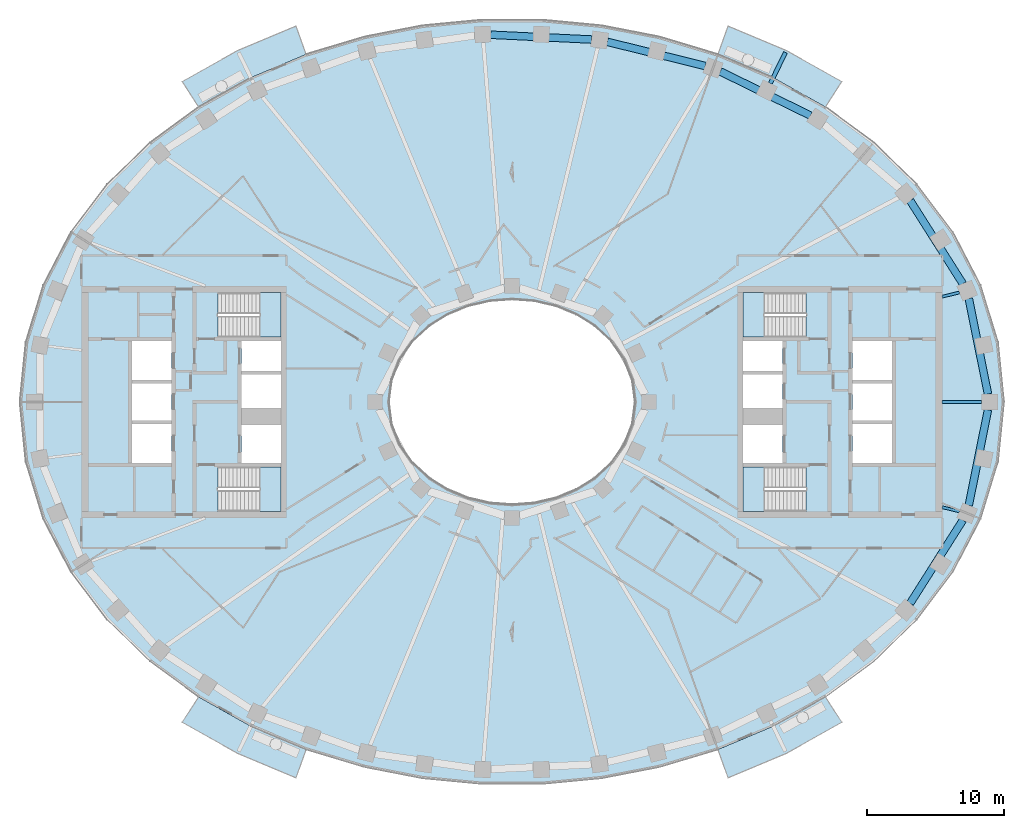
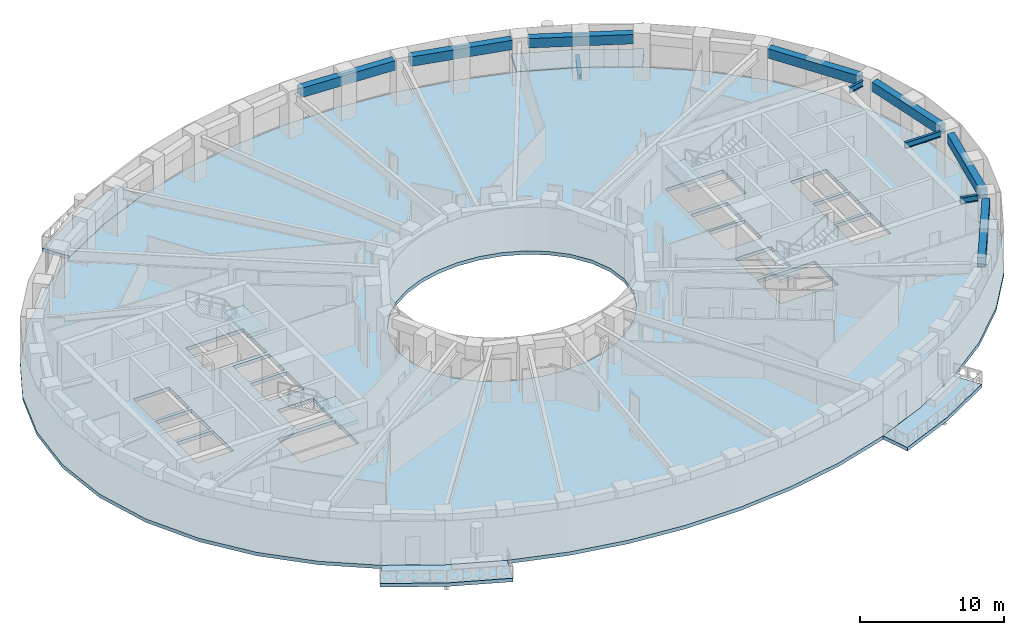
# One storey, part 2 of 15: 11 beams, 9 slabs, 4 elements without a shape of their own.
"""IFC4 building model written with IfcOpenShell, lengths in metres."""

from ifc_helpers import new_model, si_unit, direction, frame, origin, origin_2d, place, context, subcontext, project, spatial, polyline, rectangle, i_section, outline, extrude, material, layer, layer_set, material_profile, profile_set, type_object, element, aggregate, save


model = new_model("IFC4")

# Units and contexts
model_context = context("Model", 3, precision=1e-05, world=origin(), true_north=direction((0.0, 1.0)))
body_context = subcontext(model_context, "Body", "Model", "MODEL_VIEW")
ifc_project = project(units=[si_unit("LENGTHUNIT", "METRE"), si_unit("AREAUNIT", "SQUARE_METRE"), si_unit("VOLUMEUNIT", "CUBIC_METRE"), si_unit("PLANEANGLEUNIT", "RADIAN"), si_unit("MASSUNIT", "GRAM", prefix="KILO")], contexts=[model_context])

# Site, building, storey
site_placement = place(None, origin())
site = spatial("IfcSite", under=ifc_project, at=site_placement, CompositionType="ELEMENT")
building_placement = place(site_placement, origin())
building = spatial("IfcBuilding", under=site, at=building_placement, Name="Noorbagh Ring Tower", CompositionType="ELEMENT")
storey_placement = place(building_placement, frame((0.0, 0.0, 158.0)))
storey = spatial("IfcBuildingStorey", under=building, at=storey_placement, Name="L36", CompositionType="ELEMENT", Elevation=158.0)

# Beams
ifc_material_1 = material(Name="Steel S355", Category="steel")
ifc_material_profile_1 = material_profile(ifc_material_1, i_section(OverallWidth=0.300048828125, OverallDepth=0.39990234375, WebThickness=0.013427734375, FlangeThickness=0.02392578125, FilletRadius=0.027099609375, at=origin_2d()), Name="HEB400")
ifc_profile_set_1 = profile_set([ifc_material_profile_1], Name="Steel S355")
beam_type_1 = type_object("IfcBeamType", Name="STR-BALCONY-BRACKET-HEB400", PredefinedType="BEAM", material=ifc_profile_set_1)
beam_1_placement = place(storey_placement, frame((18.901123046875, 23.306396484375, -0.5), z_axis=(0.439229206399, 0.898375035409, 0.0), x_axis=(-0.898375035409, 0.439229206399, 0.0)))
element("IfcBeam", 1, at=beam_1_placement, inside=storey, type_object=beam_type_1, Name="Balcony bracket beam BN02", PredefinedType="BEAM", context=body_context, shape_type="SweptSolid", body=[
    extrude(i_section(OverallWidth=0.300048828125, OverallDepth=0.39990234375, WebThickness=0.013427734375, FlangeThickness=0.02392578125, FilletRadius=0.027099609375, at=origin_2d()), origin(), (0.0, 0.0, 1.0), 2.525146484375),
])
ifc_material_2 = material(Name="Steel S355", Category="steel")
ifc_material_profile_2 = material_profile(ifc_material_2, i_section(OverallWidth=0.199951171875, OverallDepth=0.5, WebThickness=0.01025390625, FlangeThickness=0.01611328125, FilletRadius=0.02099609375, at=origin_2d()), Name="IPE500")
ifc_profile_set_2 = profile_set([ifc_material_profile_2], Name="Steel S355")
beam_type_2 = type_object("IfcBeamType", Name="STR-RAD-IPE500", PredefinedType="BEAM", material=ifc_profile_set_2)
beam_2_placement = place(storey_placement, frame((34.36474609375, 0.0, 3.449951171875), z_axis=(-1.0, 0.0, 0.0), x_axis=(0.0, -1.0, 0.0)))
element("IfcBeam", 2, at=beam_2_placement, inside=storey, type_object=beam_type_2, Name="L36/bm/RD01", PredefinedType="BEAM", context=body_context, shape_type="SweptSolid", body=[
    extrude(i_section(OverallWidth=0.199951171875, OverallDepth=0.5, WebThickness=0.01025390625, FlangeThickness=0.01611328125, FilletRadius=0.02099609375, at=origin_2d()), origin(), (0.0, 0.0, 1.0), 2.884765625),
])
for number, where, z_axis, x_axis, name in (
    (3, (32.7353515625, 8.010009765625, 3.449951171875), (-0.971331161348, -0.237730467116, 0.0), (0.237730467116, -0.971331161348, 0.0), "L36/bm/RD03"),
    (4, (32.7353515625, -8.010009765625, 3.449951171875), (-0.971331161348, 0.237730467116, 0.0), (-0.237730467116, -0.971331161348, 0.0), "L36/bm/RD45"),
):
    element("IfcBeam", number, at=place(storey_placement, frame(where, z_axis=z_axis, x_axis=x_axis)), inside=storey, type_object=beam_type_2, Name=name, PredefinedType="BEAM", context=body_context, shape_type="SweptSolid", body=[
        extrude(i_section(OverallWidth=0.199951171875, OverallDepth=0.5, WebThickness=0.01025390625, FlangeThickness=0.01611328125, FilletRadius=0.02099609375, at=origin_2d()), origin(), (0.0, 0.0, 1.0), 1.2919921875),
    ])
ifc_material_3 = material(Name="Concrete C40/50", Category="concrete")
ifc_material_profile_3 = material_profile(ifc_material_3, rectangle(XDim=0.550048828125, YDim=0.800048828125, at=origin_2d()), Name="RC550x800")
ifc_profile_set_3 = profile_set([ifc_material_profile_3], Name="Concrete C40/50")
beam_type_3 = type_object("IfcBeamType", Name="STR-SB-RC550x800-C40-50", PredefinedType="BEAM", material=ifc_profile_set_3)
beam_3_placement = place(storey_placement, frame((34.827880859375, 0.580322265625, 3.300048828125), z_axis=(-0.19720917592, 0.980361433826, 0.0), x_axis=(-0.980361433826, -0.19720917592, 0.0)))
element("IfcBeam", 5, at=beam_3_placement, inside=storey, type_object=beam_type_3, Name="L36/bm/SP01", PredefinedType="BEAM", context=body_context, shape_type="SweptSolid", body=[
    extrude(rectangle(XDim=0.550048828125, YDim=0.800048828125, at=origin_2d()), origin(), (0.0, 0.0, 1.0), 7.12939453125),
])
beam_4_placement = place(storey_placement, frame((32.98974609375, 8.647216796875, 3.300048828125), z_axis=(-0.535190716377, 0.844731257326, 0.0), x_axis=(-0.844731257326, -0.535190716377, 0.0)))
element("IfcBeam", 6, at=beam_4_placement, inside=storey, type_object=beam_type_3, Name="L36/bm/SP03", PredefinedType="BEAM", context=body_context, shape_type="SweptSolid", body=[
    extrude(rectangle(XDim=0.550048828125, YDim=0.800048828125, at=origin_2d()), origin(), (0.0, 0.0, 1.0), 7.205810546875),
])
beam_5_placement = place(storey_placement, frame((21.837158203125, 20.95654296875, 3.300048828125), z_axis=(-0.898397175695, 0.439183918994, 0.0), x_axis=(-0.439183918994, -0.898397175695, 0.0)))
element("IfcBeam", 7, at=beam_5_placement, inside=storey, type_object=beam_type_3, Name="L36/bm/SP07", PredefinedType="BEAM", context=body_context, shape_type="SweptSolid", body=[
    extrude(rectangle(XDim=0.550048828125, YDim=0.800048828125, at=origin_2d()), origin(), (0.0, 0.0, 1.0), 7.35009765625),
])
beam_6_placement = place(storey_placement, frame((14.143310546875, 24.580810546875, 3.300048828125), z_axis=(-0.970832897369, 0.239757138341, 0.0), x_axis=(-0.239757138341, -0.970832897369, 0.0)))
element("IfcBeam", 8, at=beam_6_placement, inside=storey, type_object=beam_type_3, Name="L36/bm/SP09", PredefinedType="BEAM", context=body_context, shape_type="SweptSolid", body=[
    extrude(rectangle(XDim=0.550048828125, YDim=0.800048828125, at=origin_2d()), origin(), (0.0, 0.0, 1.0), 7.383544921875),
])
beam_7_placement = place(storey_placement, frame((5.8271484375, 26.5185546875, 3.300048828125), z_axis=(-0.9988682124, 0.047563581193, 0.0), x_axis=(-0.047563581193, -0.9988682124, 0.0)))
element("IfcBeam", 9, at=beam_7_placement, inside=storey, type_object=beam_type_3, Name="L36/bm/SP11", PredefinedType="BEAM", context=body_context, shape_type="SweptSolid", body=[
    extrude(rectangle(XDim=0.550048828125, YDim=0.800048828125, at=origin_2d()), origin(), (0.0, 0.0, 1.0), 7.396484375),
])
beam_8_placement = place(storey_placement, frame((29.13330078125, -14.734130859375, 3.300048828125), z_axis=(0.535190716377, 0.844731257326, 0.0), x_axis=(-0.844731257326, 0.535190716377, 0.0)))
element("IfcBeam", 10, at=beam_8_placement, inside=storey, type_object=beam_type_3, Name="L36/bm/SP43", PredefinedType="BEAM", context=body_context, shape_type="SweptSolid", body=[
    extrude(rectangle(XDim=0.550048828125, YDim=0.800048828125, at=origin_2d()), origin(), (0.0, 0.0, 1.0), 7.205810546875),
])
beam_9_placement = place(storey_placement, frame((33.421875, -7.56982421875, 3.300048828125), z_axis=(0.19720917592, 0.980361433826, 0.0), x_axis=(-0.980361433826, 0.19720917592, 0.0)))
element("IfcBeam", 11, at=beam_9_placement, inside=storey, type_object=beam_type_3, Name="L36/bm/SP45", PredefinedType="BEAM", context=body_context, shape_type="SweptSolid", body=[
    extrude(rectangle(XDim=0.550048828125, YDim=0.800048828125, at=origin_2d()), origin(), (0.0, 0.0, 1.0), 7.12939453125),
])

# Stair, slab
ifc_material_4 = material(Name="Concrete C40/50", Category="concrete")
stair_type = type_object("IfcStairType", Name="CORE-STAIR", PredefinedType="HALF_TURN_STAIR", material=ifc_material_4)
stair_1_placement = place(storey_placement, origin())
stair_1 = element("IfcStair", 12, at=stair_1_placement, inside=storey, type_object=stair_type, Name="L36 Exit stair ST1", PredefinedType="HALF_TURN_STAIR")
ifc_material_5 = material(Name="Concrete C40/50", Category="concrete")
ifc_layer_1 = layer(ifc_material_5, 0.300048828125)
ifc_layer_set_1 = layer_set([ifc_layer_1], Name="Concrete C40/50")
slab_type_1 = type_object("IfcSlabType", Name="CORE-STAIR-LANDING", PredefinedType="LANDING", material=ifc_layer_set_1)
slab_1_placement = place(storey_placement, frame((0.0, 0.0, 1.699951171875)))
slab_1 = element("IfcSlab", 13, at=slab_1_placement, type_object=slab_type_1, Name="ST1 landing 1", PredefinedType="LANDING", context=body_context, shape_type="SweptSolid", body=[
    extrude(outline(polyline([(-18.449951171875, 4.75), (-16.89990234375, 4.75), (-16.89990234375, 8.0), (-18.449951171875, 8.0), (-18.449951171875, 4.75)])), origin(), (0.0, 0.0, 1.0), 0.300048828125),
])
aggregate(stair_1, [slab_1])

stair_2_placement = place(storey_placement, origin())
stair_2 = element("IfcStair", 14, at=stair_2_placement, inside=storey, type_object=stair_type, Name="L36 Exit stair ST2", PredefinedType="HALF_TURN_STAIR")
slab_2_placement = place(storey_placement, frame((0.0, 0.0, 1.699951171875)))
slab_2 = element("IfcSlab", 15, at=slab_2_placement, type_object=slab_type_1, Name="ST2 landing 1", PredefinedType="LANDING", context=body_context, shape_type="SweptSolid", body=[
    extrude(outline(polyline([(-18.449951171875, -8.0), (-16.89990234375, -8.0), (-16.89990234375, -4.75), (-18.449951171875, -4.75), (-18.449951171875, -8.0)])), origin(), (0.0, 0.0, 1.0), 0.300048828125),
])
aggregate(stair_2, [slab_2])

stair_3_placement = place(storey_placement, origin())
stair_3 = element("IfcStair", 16, at=stair_3_placement, inside=storey, type_object=stair_type, Name="L36 Exit stair ST3", PredefinedType="HALF_TURN_STAIR")
slab_3_placement = place(storey_placement, frame((0.0, 0.0, 1.699951171875)))
slab_3 = element("IfcSlab", 17, at=slab_3_placement, type_object=slab_type_1, Name="ST3 landing 1", PredefinedType="LANDING", context=body_context, shape_type="SweptSolid", body=[
    extrude(outline(polyline([(18.449951171875, 8.0), (16.89990234375, 8.0), (16.89990234375, 4.75), (18.449951171875, 4.75), (18.449951171875, 8.0)])), origin(), (0.0, 0.0, 1.0), 0.300048828125),
])
aggregate(stair_3, [slab_3])

stair_4_placement = place(storey_placement, origin())
stair_4 = element("IfcStair", 18, at=stair_4_placement, inside=storey, type_object=stair_type, Name="L36 Exit stair ST4", PredefinedType="HALF_TURN_STAIR")
slab_4_placement = place(storey_placement, frame((0.0, 0.0, 1.699951171875)))
slab_4 = element("IfcSlab", 19, at=slab_4_placement, type_object=slab_type_1, Name="ST4 landing 1", PredefinedType="LANDING", context=body_context, shape_type="SweptSolid", body=[
    extrude(outline(polyline([(18.449951171875, -4.75), (16.89990234375, -4.75), (16.89990234375, -8.0), (18.449951171875, -8.0), (18.449951171875, -4.75)])), origin(), (0.0, 0.0, 1.0), 0.300048828125),
])
aggregate(stair_4, [slab_4])

# Slabs
ifc_material_6 = material(Name="Concrete C40/50", Category="concrete")
ifc_layer_2 = layer(ifc_material_6, 0.300048828125)
ifc_layer_set_2 = layer_set([ifc_layer_2], Name="Concrete C40/50")
slab_type_2 = type_object("IfcSlabType", Name="ENV-BALCONY DECK 300", PredefinedType="FLOOR", material=ifc_layer_set_2)
slab_5_placement = place(storey_placement, frame((0.0, 0.0, -0.300048828125)))
element("IfcSlab", 20, at=slab_5_placement, inside=storey, type_object=slab_type_2, Name="Tree balcony deck BN02", PredefinedType="FLOOR", context=body_context, shape_type="SweptSolid", body=[
    extrude(outline(polyline([(24.1279296875, 23.435791015625), (20.076171875, 25.709716796875), (15.810791015625, 27.50341796875), (15.0654296875, 25.430419921875), (19.108154296875, 23.730224609375), (22.9326171875, 21.583740234375), (24.1279296875, 23.435791015625)])), origin(), (0.0, 0.0, 1.0), 0.300048828125),
])
slab_6_placement = place(storey_placement, frame((0.0, 0.0, -0.300048828125)))
element("IfcSlab", 21, at=slab_6_placement, inside=storey, type_object=slab_type_2, Name="Tree balcony deck BN05", PredefinedType="FLOOR", context=body_context, shape_type="SweptSolid", body=[
    extrude(outline(polyline([(-15.810791015625, 27.50341796875), (-20.076171875, 25.709716796875), (-24.1279296875, 23.435791015625), (-22.9326171875, 21.583740234375), (-19.108154296875, 23.730224609375), (-15.0654296875, 25.430419921875), (-15.810791015625, 27.50341796875)])), origin(), (0.0, 0.0, 1.0), 0.300048828125),
])
slab_7_placement = place(storey_placement, frame((0.0, 0.0, -0.300048828125)))
element("IfcSlab", 22, at=slab_7_placement, inside=storey, type_object=slab_type_2, Name="Tree balcony deck BS02", PredefinedType="FLOOR", context=body_context, shape_type="SweptSolid", body=[
    extrude(outline(polyline([(-24.1279296875, -23.435791015625), (-20.076171875, -25.709716796875), (-15.810791015625, -27.50341796875), (-15.0654296875, -25.430419921875), (-19.108154296875, -23.730224609375), (-22.9326171875, -21.583740234375), (-24.1279296875, -23.435791015625)])), origin(), (0.0, 0.0, 1.0), 0.300048828125),
])
slab_8_placement = place(storey_placement, frame((0.0, 0.0, -0.300048828125)))
element("IfcSlab", 23, at=slab_8_placement, inside=storey, type_object=slab_type_2, Name="Tree balcony deck BS05", PredefinedType="FLOOR", context=body_context, shape_type="SweptSolid", body=[
    extrude(outline(polyline([(15.810791015625, -27.50341796875), (20.076171875, -25.709716796875), (24.1279296875, -23.435791015625), (22.9326171875, -21.583740234375), (19.108154296875, -23.730224609375), (15.0654296875, -25.430419921875), (15.810791015625, -27.50341796875)])), origin(), (0.0, 0.0, 1.0), 0.300048828125),
])
ifc_material_7 = material(Name="Concrete C40/50", Category="concrete")
ifc_layer_3 = layer(ifc_material_7, 0.300048828125)
ifc_layer_set_3 = layer_set([ifc_layer_3], Name="Concrete C40/50")
slab_type_3 = type_object("IfcSlabType", Name="STR-FLOOR-DECK-300", PredefinedType="FLOOR", material=ifc_layer_set_3)
slab_9_placement = place(storey_placement, frame((0.0, 0.0, -0.300048828125)))
element("IfcSlab", 24, at=slab_9_placement, inside=storey, type_object=slab_type_3, Name="L36/slab/1", PredefinedType="FLOOR", context=body_context, shape_type="SweptSolid", body=[
    extrude(outline(polyline([(36.0, 0.0), (35.56103515625, 4.358642578125), (34.281005859375, 8.548828125), (32.255126953125, 12.434814453125), (29.607666015625, 15.92822265625), (26.463134765625, 18.983154296875), (22.9326171875, 21.583740234375), (19.108154296875, 23.730224609375), (15.0654296875, 25.430419921875), (10.865234375, 26.6943359375), (6.5595703125, 27.53125), (2.193115234375, 27.947998046875), (-2.193115234375, 27.947998046875), (-6.5595703125, 27.53125), (-10.865234375, 26.6943359375), (-15.0654296875, 25.430419921875), (-19.108154296875, 23.730224609375), (-22.9326171875, 21.583740234375), (-26.463134765625, 18.983154296875), (-29.607666015625, 15.92822265625), (-32.255126953125, 12.434814453125), (-34.281005859375, 8.548828125), (-35.56103515625, 4.358642578125), (-36.0, 0.0), (-35.56103515625, -4.358642578125), (-34.281005859375, -8.548828125), (-32.255126953125, -12.434814453125), (-29.607666015625, -15.92822265625), (-26.463134765625, -18.983154296875), (-22.9326171875, -21.583740234375), (-19.108154296875, -23.730224609375), (-15.0654296875, -25.430419921875), (-10.865234375, -26.6943359375), (-6.5595703125, -27.53125), (-2.193115234375, -27.947998046875), (2.193115234375, -27.947998046875), (6.5595703125, -27.53125), (10.865234375, -26.6943359375), (15.0654296875, -25.430419921875), (19.108154296875, -23.730224609375), (22.9326171875, -21.583740234375), (26.463134765625, -18.983154296875), (29.607666015625, -15.92822265625), (32.255126953125, -12.434814453125), (34.281005859375, -8.548828125), (35.56103515625, -4.358642578125), (36.0, 0.0)]), holes=[polyline([(24.89990234375, 4.449951171875), (27.800048828125, 4.449951171875), (27.800048828125, 1.60009765625), (24.89990234375, 1.60009765625), (24.89990234375, 4.449951171875)]), polyline([(24.89990234375, 1.35009765625), (27.800048828125, 1.35009765625), (27.800048828125, -1.35009765625), (24.89990234375, -1.35009765625), (24.89990234375, 1.35009765625)]), polyline([(24.89990234375, -1.60009765625), (27.800048828125, -1.60009765625), (27.800048828125, -4.449951171875), (24.89990234375, -4.449951171875), (24.89990234375, -1.60009765625)]), polyline([(21.529541015625, -8.0), (16.89990234375, -8.0), (16.89990234375, -4.75), (21.529541015625, -4.75), (21.529541015625, -8.0)]), polyline([(16.89990234375, 4.75), (16.89990234375, 8.0), (21.529541015625, 8.0), (21.529541015625, 4.75), (16.89990234375, 4.75)]), polyline([(19.800048828125, 4.449951171875), (19.800048828125, 2.25), (16.89990234375, 2.25), (16.89990234375, 4.449951171875), (19.800048828125, 4.449951171875)]), polyline([(16.89990234375, 2.0), (19.800048828125, 2.0), (19.800048828125, -0.449951171875), (16.89990234375, -0.449951171875), (16.89990234375, 2.0)]), polyline([(16.89990234375, -1.699951171875), (19.800048828125, -1.699951171875), (19.800048828125, -4.449951171875), (16.89990234375, -4.449951171875), (16.89990234375, -1.699951171875)]), polyline([(4.697509765625, -6.3974609375), (3.196533203125, -7.010986328125), (1.6171875, -7.3779296875), (0.0, -7.5), (-1.6171875, -7.3779296875), (-3.196533203125, -7.010986328125), (-4.697509765625, -6.3974609375), (-6.071044921875, -5.53662109375), (-7.2587890625, -4.43408203125), (-8.1904296875, -3.10888671875), (-8.79150390625, -1.605224609375), (-9.0, 0.0), (-8.79150390625, 1.605224609375), (-8.1904296875, 3.10888671875), (-7.2587890625, 4.43408203125), (-6.071044921875, 5.53662109375), (-4.697509765625, 6.3974609375), (-3.196533203125, 7.010986328125), (-1.6171875, 7.3779296875), (0.0, 7.5), (1.6171875, 7.3779296875), (3.196533203125, 7.010986328125), (4.697509765625, 6.3974609375), (6.071044921875, 5.53662109375), (7.2587890625, 4.43408203125), (8.1904296875, 3.10888671875), (8.79150390625, 1.605224609375), (9.0, 0.0), (8.79150390625, -1.605224609375), (8.1904296875, -3.10888671875), (7.2587890625, -4.43408203125), (6.071044921875, -5.53662109375), (4.697509765625, -6.3974609375)]), polyline([(-16.89990234375, 2.25), (-19.800048828125, 2.25), (-19.800048828125, 4.449951171875), (-16.89990234375, 4.449951171875), (-16.89990234375, 2.25)]), polyline([(-16.89990234375, -0.449951171875), (-19.800048828125, -0.449951171875), (-19.800048828125, 2.0), (-16.89990234375, 2.0), (-16.89990234375, -0.449951171875)]), polyline([(-16.89990234375, -4.449951171875), (-19.800048828125, -4.449951171875), (-19.800048828125, -1.699951171875), (-16.89990234375, -1.699951171875), (-16.89990234375, -4.449951171875)]), polyline([(-21.529541015625, 8.0), (-16.89990234375, 8.0), (-16.89990234375, 4.75), (-21.529541015625, 4.75), (-21.529541015625, 8.0)]), polyline([(-21.529541015625, -4.75), (-16.89990234375, -4.75), (-16.89990234375, -8.0), (-21.529541015625, -8.0), (-21.529541015625, -4.75)]), polyline([(-24.89990234375, -4.449951171875), (-27.800048828125, -4.449951171875), (-27.800048828125, -1.60009765625), (-24.89990234375, -1.60009765625), (-24.89990234375, -4.449951171875)]), polyline([(-24.89990234375, 1.60009765625), (-27.800048828125, 1.60009765625), (-27.800048828125, 4.449951171875), (-24.89990234375, 4.449951171875), (-24.89990234375, 1.60009765625)]), polyline([(-24.89990234375, -1.35009765625), (-27.800048828125, -1.35009765625), (-27.800048828125, 1.35009765625), (-24.89990234375, 1.35009765625), (-24.89990234375, -1.35009765625)])]), origin(), (0.0, 0.0, 1.0), 0.300048828125),
])

save(model, "model.ifc")
